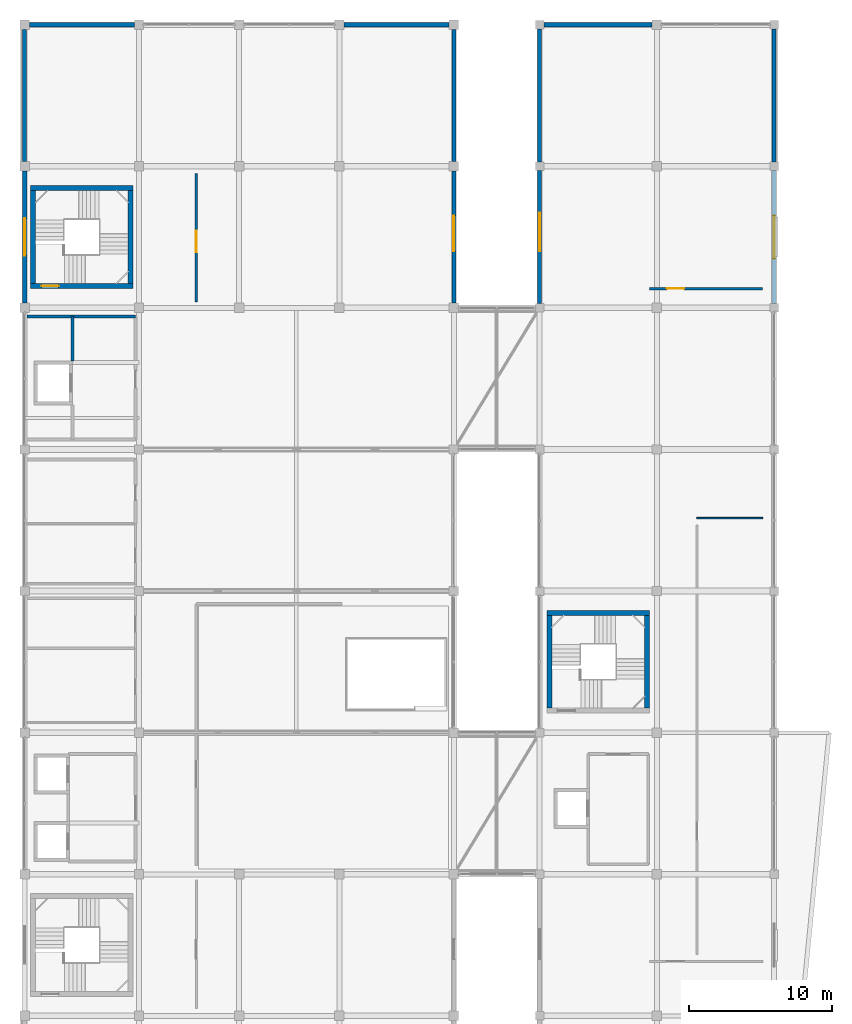
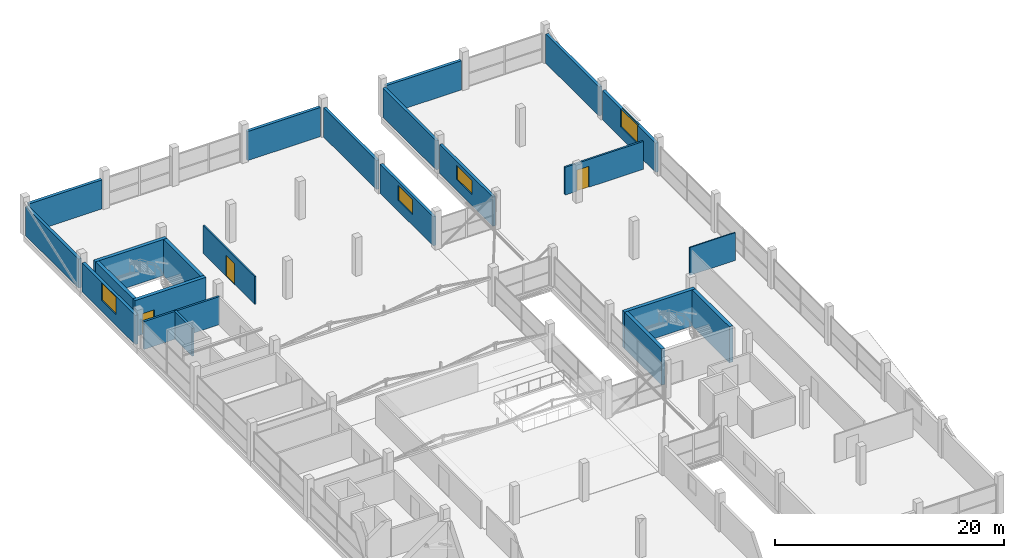
# One storey, part 58 of 66: 23 walls, 4 windows, 3 doors, 7 openings.
"""IFC4 building model written with IfcOpenShell, lengths in metres."""

from ifc_helpers import new_model, si_unit, direction, frame, frame_2d, origin, place, context, subcontext, project, spatial, rectangle, extrude, material, layer, layer_set, type_object, element, fill, save


model = new_model("IFC4")

# Units and contexts
model_context = context("Model", 3, precision=1e-05, world=origin(), true_north=direction((0.0, 1.0)))
body_context = subcontext(model_context, "Body", "Model", "MODEL_VIEW")
ifc_project = project(units=[si_unit("LENGTHUNIT", "METRE"), si_unit("AREAUNIT", "SQUARE_METRE"), si_unit("VOLUMEUNIT", "CUBIC_METRE"), si_unit("PLANEANGLEUNIT", "RADIAN"), si_unit("MASSUNIT", "GRAM", prefix="KILO")], contexts=[model_context])

# Site, building, storey
site_placement = place(None, origin())
site = spatial("IfcSite", under=ifc_project, at=site_placement, CompositionType="ELEMENT")
building_placement = place(site_placement, origin())
building = spatial("IfcBuilding", under=site, at=building_placement, Name="Sillaruma Civic Art Gallery", CompositionType="ELEMENT")
storey_placement = place(building_placement, frame((0.0, 0.0, 62.219970703125)))
storey = spatial("IfcBuildingStorey", under=building, at=storey_placement, Name="L12", CompositionType="ELEMENT", Elevation=62.219970703125)

# Wall, opening, door
ifc_material_1 = material(Name="Concrete H40 (40 MPa)", Category="concrete")
ifc_layer_1 = layer(ifc_material_1, 0.35009765625, Name="Concrete H40 (40 MPa)")
ifc_layer_set_1 = layer_set([ifc_layer_1], Name="Concrete H40 (40 MPa)")
wall_type_1 = type_object("IfcWallType", Name="WAL-CORE-350", PredefinedType="SHEAR", material=ifc_layer_set_1)
wall_1_placement = place(storey_placement, frame((62.409912109375, 80.735107421875, 0.0), z_axis=(0.0, 0.0, 1.0), x_axis=(1.0, 0.0, 0.0)))
wall_1 = element("IfcWall", 1, at=wall_1_placement, inside=storey, type_object=wall_type_1, Name="Stair Core Shear Wall W-CORE-350 (ST-02:L12:S)", PredefinedType="SHEAR", context=body_context, shape_type="SweptSolid", body=[
    extrude(rectangle(XDim=7.18017578125, YDim=0.35009765625, at=frame_2d((3.590087890625, 0.0))), origin(), (0.0, 0.0, 1.0), 3.85009765625),
])
opening_1_placement = place(wall_1_placement, frame((0.77001953125, 0.0, 0.0)))
opening_1 = element("IfcOpeningElement", 2, at=opening_1_placement, cuts=wall_1, Name="Opening D-STAIR", PredefinedType="OPENING", context=body_context, shape_type="SweptSolid", body=[
    extrude(rectangle(XDim=1.199951171875, YDim=2.199951171875, at=frame_2d((0.60009765625, 1.10009765625))), frame((0.0, 0.18505859375, 0.0), z_axis=(0.0, -1.0, 0.0), x_axis=(1.0, 0.0, 0.0)), (0.0, 0.0, 1.0), 0.3701171875),
])
ifc_material_2 = material(Name="Galvanised Steel ASTM A653 Gr.50", Category="steel")
door_type_1 = type_object("IfcDoorType", Name="DOR-STAIR-120", OperationType="NOTDEFINED", PredefinedType="DOOR", material=ifc_material_2)
door_1_placement = place(opening_1_placement, origin())
door_1 = element("IfcDoor", 3, at=door_1_placement, inside=storey, type_object=door_type_1, Name="Protected Stair Fire Door (ST-02:L12)", OperationType="SINGLE_SWING_RIGHT", OverallHeight=2.199951171875, OverallWidth=1.199951171875, PredefinedType="DOOR", context=body_context, shape_type="SweptSolid", body=[
    extrude(rectangle(XDim=1.199951171875, YDim=2.199951171875, at=frame_2d((0.60009765625, 1.10009765625))), frame((0.0, 0.02490234375, 0.0), z_axis=(0.0, -1.0, 0.0), x_axis=(1.0, 0.0, 0.0)), (0.0, 0.0, 1.0), 0.050048828125),
])
fill(opening_1, door_1)

# Walls
wall_2_placement = place(storey_placement, frame((62.409912109375, 87.56494140625, 0.0), z_axis=(0.0, 0.0, 1.0), x_axis=(1.0, 0.0, 0.0)))
element("IfcWall", 4, at=wall_2_placement, inside=storey, type_object=wall_type_1, Name="Stair Core Shear Wall W-CORE-350 (ST-02:L12:N)", PredefinedType="SHEAR", context=body_context, shape_type="SweptSolid", body=[
    extrude(rectangle(XDim=7.18017578125, YDim=0.35009765625, at=frame_2d((3.590087890625, 0.0))), origin(), (0.0, 0.0, 1.0), 3.85009765625),
])
for number, where, z_axis, x_axis, name in (
    (5, (62.5849609375, 80.909912109375, 0.0), (0.0, 0.0, 1.0), (0.0, 1.0, 0.0), "Stair Core Shear Wall W-CORE-350 (ST-02:L12:W)"),
    (6, (69.4150390625, 80.909912109375, 0.0), (0.0, 0.0, 1.0), (0.0, 1.0, 0.0), "Stair Core Shear Wall W-CORE-350 (ST-02:L12:E)"),
):
    element("IfcWall", number, at=place(storey_placement, frame(where, z_axis=z_axis, x_axis=x_axis)), inside=storey, type_object=wall_type_1, Name=name, PredefinedType="SHEAR", context=body_context, shape_type="SweptSolid", body=[
        extrude(rectangle(XDim=6.47998046875, YDim=0.35009765625, at=frame_2d((3.239990234375, 0.0))), origin(), (0.0, 0.0, 1.0), 3.85009765625),
    ])
wall_3_placement = place(storey_placement, frame((98.510009765625, 57.864990234375, 0.0), z_axis=(0.0, 0.0, 1.0), x_axis=(1.0, 0.0, 0.0)))
element("IfcWall", 7, at=wall_3_placement, inside=storey, type_object=wall_type_1, Name="Stair Core Shear Wall W-CORE-350 (ST-04:L12:N)", PredefinedType="SHEAR", context=body_context, shape_type="SweptSolid", body=[
    extrude(rectangle(XDim=7.179931640625, YDim=0.35009765625, at=frame_2d((3.58984375, 0.0))), origin(), (0.0, 0.0, 1.0), 3.85009765625),
])
for number, where, z_axis, x_axis, name in (
    (8, (98.68505859375, 51.2099609375, 0.0), (0.0, 0.0, 1.0), (0.0, 1.0, 0.0), "Stair Core Shear Wall W-CORE-350 (ST-04:L12:W)"),
    (9, (105.514892578125, 51.2099609375, 0.0), (0.0, 0.0, 1.0), (0.0, 1.0, 0.0), "Stair Core Shear Wall W-CORE-350 (ST-04:L12:E)"),
):
    element("IfcWall", number, at=place(storey_placement, frame(where, z_axis=z_axis, x_axis=x_axis)), inside=storey, type_object=wall_type_1, Name=name, PredefinedType="SHEAR", context=body_context, shape_type="SweptSolid", body=[
        extrude(rectangle(XDim=6.47998046875, YDim=0.35009765625, at=frame_2d((3.239990234375, 0.0))), origin(), (0.0, 0.0, 1.0), 3.85009765625),
    ])

# Wall, opening, window
ifc_material_3 = material(Name="Concrete H35 (35 MPa)", Category="concrete")
ifc_layer_2 = layer(ifc_material_3, 0.159912109375, Name="Concrete backup", Category="concrete")
ifc_material_4 = material(Name="Mineral Wool Thermal Insulation", Category="insulation")
ifc_layer_3 = layer(ifc_material_4, 0.090087890625, Name="Thermal insulation", Category="insulation")
ifc_material_5 = material(Name="Anodised Zinc-Aluminium Alloy", Category="aluminium")
ifc_layer_4 = layer(ifc_material_5, 0.030029296875, Name="Rainscreen finish", Category="aluminium")
ifc_layer_set_2 = layer_set([ifc_layer_2, ifc_layer_3, ifc_layer_4], Name="W-EXT-280")
wall_type_2 = type_object("IfcWallType", Name="WAL-EXT-280", PredefinedType="SOLIDWALL", material=ifc_layer_set_2)
wall_4_placement = place(storey_placement, frame((92.0, 79.52490234375, 0.0), z_axis=(0.0, 0.0, 1.0), x_axis=(0.0, 1.0, 0.0)))
wall_4 = element("IfcWall", 10, at=wall_4_placement, inside=storey, type_object=wall_type_2, Name="Exterior Wall W-EXT-280 (EW-L12-WBE-7)", PredefinedType="SOLIDWALL", context=body_context, shape_type="SweptSolid", body=[
    extrude(rectangle(XDim=9.25, YDim=0.280029296875, at=frame_2d((4.625, 0.0))), origin(), (0.0, 0.0, 1.0), 3.10009765625),
])
opening_2_placement = place(wall_4_placement, frame((3.625, 0.0, 1.14990234375)))
opening_2 = element("IfcOpeningElement", 11, at=opening_2_placement, cuts=wall_4, Name="Opening WN-11", PredefinedType="OPENING", context=body_context, shape_type="SweptSolid", body=[
    extrude(rectangle(XDim=2.5, YDim=1.60009765625, at=frame_2d((1.25, 0.800048828125))), frame((0.0, 0.14990234375, 0.0), z_axis=(0.0, -1.0, 0.0), x_axis=(1.0, 0.0, 0.0)), (0.0, 0.0, 1.0), 0.300048828125),
])
ifc_material_6 = material(Name="Thermally Broken Extruded Aluminium 6063-T6", Category="aluminium")
window_type_1 = type_object("IfcWindowType", Name="WIN-W11", PartitioningType="SINGLE_PANEL", PredefinedType="WINDOW", material=ifc_material_6)
window_1_placement = place(opening_2_placement, origin())
window_1 = element("IfcWindow", 12, at=window_1_placement, inside=storey, type_object=window_type_1, Name="Window WN-11 (EW-L12-WBE-7-1)", OverallHeight=1.60009765625, OverallWidth=2.5, PartitioningType="SINGLE_PANEL", PredefinedType="WINDOW", context=body_context, shape_type="SweptSolid", body=[
    extrude(rectangle(XDim=2.5, YDim=1.60009765625, at=frame_2d((1.25, 0.800048828125))), frame((0.0, 0.030029296875, 0.0), z_axis=(0.0, -1.0, 0.0), x_axis=(1.0, 0.0, 0.0)), (0.0, 0.0, 1.0), 0.06005859375),
])
fill(opening_2, window_1)

# Wall
wall_5_placement = place(storey_placement, frame((92.0, 89.425048828125, 0.0), z_axis=(0.0, 0.0, 1.0), x_axis=(0.0, 1.0, 0.0)))
element("IfcWall", 13, at=wall_5_placement, inside=storey, type_object=wall_type_2, Name="Exterior Wall W-EXT-280 (EW-L12-WBE-8)", PredefinedType="SOLIDWALL", context=body_context, shape_type="SweptSolid", body=[
    extrude(rectangle(XDim=9.25, YDim=0.280029296875, at=frame_2d((4.625, 0.0))), origin(), (0.0, 0.0, 1.0), 3.10009765625),
])

# Wall, opening, window
wall_6_placement = place(storey_placement, frame((98.0, 79.5, 0.0), z_axis=(0.0, 0.0, 1.0), x_axis=(0.0, 1.0, 0.0)))
wall_6 = element("IfcWall", 14, at=wall_6_placement, inside=storey, type_object=wall_type_2, Name="Exterior Wall W-EXT-280 (EW-L12-EBW-7)", PredefinedType="SOLIDWALL", context=body_context, shape_type="SweptSolid", body=[
    extrude(rectangle(XDim=9.300048828125, YDim=0.280029296875, at=frame_2d((4.64990234375, 0.0))), origin(), (0.0, 0.0, 1.0), 3.10009765625),
])
opening_3_placement = place(wall_6_placement, frame((3.64990234375, 0.0, 1.14990234375)))
opening_3 = element("IfcOpeningElement", 15, at=opening_3_placement, cuts=wall_6, Name="Opening WN-18", PredefinedType="OPENING", context=body_context, shape_type="SweptSolid", body=[
    extrude(rectangle(XDim=2.699951171875, YDim=1.5, at=frame_2d((1.35009765625, 0.75))), frame((0.0, 0.14990234375, 0.0), z_axis=(0.0, -1.0, 0.0), x_axis=(1.0, 0.0, 0.0)), (0.0, 0.0, 1.0), 0.300048828125),
])
window_type_2 = type_object("IfcWindowType", Name="WIN-W18", PartitioningType="SINGLE_PANEL", PredefinedType="WINDOW", material=ifc_material_6)
window_2_placement = place(opening_3_placement, origin())
window_2 = element("IfcWindow", 16, at=window_2_placement, inside=storey, type_object=window_type_2, Name="Window WN-18 (EW-L12-EBW-7-1)", OverallHeight=1.5, OverallWidth=2.699951171875, PartitioningType="SINGLE_PANEL", PredefinedType="WINDOW", context=body_context, shape_type="SweptSolid", body=[
    extrude(rectangle(XDim=2.699951171875, YDim=1.5, at=frame_2d((1.35009765625, 0.75))), frame((0.0, 0.030029296875, 0.0), z_axis=(0.0, -1.0, 0.0), x_axis=(1.0, 0.0, 0.0)), (0.0, 0.0, 1.0), 0.06005859375),
])
fill(opening_3, window_2)

# Walls
wall_7_placement = place(storey_placement, frame((98.0, 89.39990234375, 0.0), z_axis=(0.0, 0.0, 1.0), x_axis=(0.0, 1.0, 0.0)))
element("IfcWall", 17, at=wall_7_placement, inside=storey, type_object=wall_type_2, Name="Exterior Wall W-EXT-280 (EW-L12-EBW-8)", PredefinedType="SOLIDWALL", context=body_context, shape_type="SweptSolid", body=[
    extrude(rectangle(XDim=9.300048828125, YDim=0.280029296875, at=frame_2d((4.64990234375, 0.0))), origin(), (0.0, 0.0, 1.0), 3.10009765625),
])
ifc_layer_5 = layer(ifc_material_3, 0.169921875, Name="Concrete backup", Category="concrete")
ifc_layer_6 = layer(ifc_material_4, 0.090087890625, Name="Thermal insulation", Category="insulation")
ifc_layer_7 = layer(ifc_material_5, 0.030029296875, Name="Rainscreen finish", Category="aluminium")
ifc_layer_set_3 = layer_set([ifc_layer_5, ifc_layer_6, ifc_layer_7], Name="W-EXT-290")
wall_type_3 = type_object("IfcWallType", Name="WAL-EXT-290", PredefinedType="SOLIDWALL", material=ifc_layer_set_3)
wall_8_placement = place(storey_placement, frame((62.0, 89.425048828125, 0.0), z_axis=(0.0, 0.0, 1.0), x_axis=(0.0, 1.0, 0.0)))
element("IfcWall", 18, at=wall_8_placement, inside=storey, type_object=wall_type_3, Name="Exterior Wall W-EXT-290 (EW-L12-WBW-8)", PredefinedType="SOLIDWALL", context=body_context, shape_type="SweptSolid", body=[
    extrude(rectangle(XDim=9.25, YDim=0.2900390625, at=frame_2d((4.625, 0.0))), origin(), (0.0, 0.0, 1.0), 3.10009765625),
])
wall_9_placement = place(storey_placement, frame((114.39990234375, 89.39990234375, 0.0), z_axis=(0.0, 0.0, 1.0), x_axis=(0.0, 1.0, 0.0)))
element("IfcWall", 19, at=wall_9_placement, inside=storey, type_object=wall_type_3, Name="Exterior Wall W-EXT-290 (EW-L12-EBE-8)", PredefinedType="SOLIDWALL", context=body_context, shape_type="SweptSolid", body=[
    extrude(rectangle(XDim=9.300048828125, YDim=0.2900390625, at=frame_2d((4.64990234375, 0.0))), origin(), (0.0, 0.0, 1.0), 3.10009765625),
])

# Wall, opening, window
ifc_material_7 = material(Name="Precast Concrete H35 (35 MPa)", Category="concrete")
ifc_layer_8 = layer(ifc_material_7, 0.179931640625, Name="Precast backup", Category="concrete")
ifc_layer_9 = layer(ifc_material_4, 0.090087890625, Name="Thermal insulation", Category="insulation")
ifc_material_8 = material(Name="Comanche Granitic Ashlar Stone", Category="masonry")
ifc_layer_10 = layer(ifc_material_8, 0.030029296875, Name="Rainscreen cladding", Category="masonry")
ifc_layer_set_4 = layer_set([ifc_layer_8, ifc_layer_9, ifc_layer_10], Name="W-EXT-300")
wall_type_4 = type_object("IfcWallType", Name="WAL-EXT-300", PredefinedType="SOLIDWALL", material=ifc_layer_set_4)
wall_10_placement = place(storey_placement, frame((62.0, 79.52490234375, 0.0), z_axis=(0.0, 0.0, 1.0), x_axis=(0.0, 1.0, 0.0)))
wall_10 = element("IfcWall", 20, at=wall_10_placement, inside=storey, type_object=wall_type_4, Name="Exterior Wall W-EXT-300 (EW-L12-WBW-7)", PredefinedType="SOLIDWALL", context=body_context, shape_type="SweptSolid", body=[
    extrude(rectangle(XDim=9.25, YDim=0.300048828125, at=frame_2d((4.625, 0.0))), origin(), (0.0, 0.0, 1.0), 3.10009765625),
])
opening_4_placement = place(wall_10_placement, frame((3.324951171875, 0.0, 1.14990234375)))
opening_4 = element("IfcOpeningElement", 21, at=opening_4_placement, cuts=wall_10, Name="Opening WN-08", PredefinedType="OPENING", context=body_context, shape_type="SweptSolid", body=[
    extrude(rectangle(XDim=2.60009765625, YDim=1.85009765625, at=frame_2d((1.300048828125, 0.925048828125))), frame((0.0, 0.159912109375, 0.0), z_axis=(0.0, -1.0, 0.0), x_axis=(1.0, 0.0, 0.0)), (0.0, 0.0, 1.0), 0.320068359375),
])
window_type_3 = type_object("IfcWindowType", Name="WIN-W08", PartitioningType="SINGLE_PANEL", PredefinedType="WINDOW", material=ifc_material_6)
window_3_placement = place(opening_4_placement, origin())
window_3 = element("IfcWindow", 22, at=window_3_placement, inside=storey, type_object=window_type_3, Name="Window WN-08 (EW-L12-WBW-7-1)", OverallHeight=1.85009765625, OverallWidth=2.60009765625, PartitioningType="SINGLE_PANEL", PredefinedType="WINDOW", context=body_context, shape_type="SweptSolid", body=[
    extrude(rectangle(XDim=2.60009765625, YDim=1.85009765625, at=frame_2d((1.300048828125, 0.925048828125))), frame((0.0, 0.030029296875, 0.0), z_axis=(0.0, -1.0, 0.0), x_axis=(1.0, 0.0, 0.0)), (0.0, 0.0, 1.0), 0.06005859375),
])
fill(opening_4, window_3)

# Walls
for number, where, z_axis, x_axis, name in (
    (23, (62.324951171875, 99.0, 0.0), (0.0, 0.0, 1.0), (1.0, 0.0, 0.0), "Exterior Wall W-EXT-300 (EW-L12-WBN-1)"),
    (24, (84.324951171875, 99.0, 0.0), (0.0, 0.0, 1.0), (1.0, 0.0, 0.0), "Exterior Wall W-EXT-300 (EW-L12-WBN-4)"),
):
    element("IfcWall", number, at=place(storey_placement, frame(where, z_axis=z_axis, x_axis=x_axis)), inside=storey, type_object=wall_type_4, Name=name, PredefinedType="SOLIDWALL", context=body_context, shape_type="SweptSolid", body=[
        extrude(rectangle(XDim=7.35009765625, YDim=0.300048828125, at=frame_2d((3.675048828125, 0.0))), origin(), (0.0, 0.0, 1.0), 3.10009765625),
    ])

# Wall, opening, window
wall_11_placement = place(storey_placement, frame((114.39990234375, 79.5, 0.0), z_axis=(0.0, 0.0, 1.0), x_axis=(0.0, 1.0, 0.0)))
wall_11 = element("IfcWall", 25, at=wall_11_placement, inside=storey, type_object=wall_type_4, Name="Exterior Wall W-EXT-300 (EW-L12-EBE-7)", PredefinedType="SOLIDWALL", context=body_context, shape_type="SweptSolid", body=[
    extrude(rectangle(XDim=9.300048828125, YDim=0.300048828125, at=frame_2d((4.64990234375, 0.0))), origin(), (0.0, 0.0, 1.0), 3.10009765625),
])
opening_5_placement = place(wall_11_placement, frame((3.14990234375, 0.0, 1.14990234375)))
opening_5 = element("IfcOpeningElement", 26, at=opening_5_placement, cuts=wall_11, Name="Opening WN-10", PredefinedType="OPENING", context=body_context, shape_type="SweptSolid", body=[
    extrude(rectangle(XDim=3.0, YDim=1.949951171875, at=frame_2d((1.5, 0.97509765625))), frame((0.0, 0.159912109375, 0.0), z_axis=(0.0, -1.0, 0.0), x_axis=(1.0, 0.0, 0.0)), (0.0, 0.0, 1.0), 0.320068359375),
])
window_type_4 = type_object("IfcWindowType", Name="WIN-W10", PartitioningType="SINGLE_PANEL", PredefinedType="WINDOW", material=ifc_material_6)
window_4_placement = place(opening_5_placement, origin())
window_4 = element("IfcWindow", 27, at=window_4_placement, inside=storey, type_object=window_type_4, Name="Window WN-10 (EW-L12-EBE-7-1)", OverallHeight=1.949951171875, OverallWidth=3.0, PartitioningType="SINGLE_PANEL", PredefinedType="WINDOW", context=body_context, shape_type="SweptSolid", body=[
    extrude(rectangle(XDim=3.0, YDim=1.949951171875, at=frame_2d((1.5, 0.97509765625))), frame((0.0, 0.030029296875, 0.0), z_axis=(0.0, -1.0, 0.0), x_axis=(1.0, 0.0, 0.0)), (0.0, 0.0, 1.0), 0.06005859375),
])
fill(opening_5, window_4)

# Walls
wall_12_placement = place(storey_placement, frame((98.300048828125, 99.0, 0.0), z_axis=(0.0, 0.0, 1.0), x_axis=(1.0, 0.0, 0.0)))
element("IfcWall", 28, at=wall_12_placement, inside=storey, type_object=wall_type_4, Name="Exterior Wall W-EXT-300 (EW-L12-EBN-1)", PredefinedType="SOLIDWALL", context=body_context, shape_type="SweptSolid", body=[
    extrude(rectangle(XDim=7.574951171875, YDim=0.300048828125, at=frame_2d((3.78759765625, 0.0))), origin(), (0.0, 0.0, 1.0), 3.10009765625),
])
ifc_material_9 = material(Name="Concrete Masonry Unit Grade M15", Category="masonry")
ifc_layer_11 = layer(ifc_material_9, 0.199951171875, Name="Concrete Masonry Unit Grade M15")
ifc_layer_set_5 = layer_set([ifc_layer_11], Name="Concrete Masonry Unit Grade M15")
wall_type_5 = type_object("IfcWallType", Name="WAL-LOBBY-200", PredefinedType="SOLIDWALL", material=ifc_layer_set_5)
wall_13_placement = place(storey_placement, frame((62.14990234375, 78.60009765625, 0.0), z_axis=(0.0, 0.0, 1.0), x_axis=(1.0, 0.0, 0.0)))
element("IfcWall", 29, at=wall_13_placement, inside=storey, type_object=wall_type_5, Name="Interior Wall W-LOBBY-200 (L12-FFL)", PredefinedType="SOLIDWALL", context=body_context, shape_type="SweptSolid", body=[
    extrude(rectangle(XDim=7.60009765625, YDim=0.199951171875, at=frame_2d((3.800048828125, 0.0))), origin(), (0.0, 0.0, 1.0), 2.969970703125),
])
wall_14_placement = place(storey_placement, frame((65.35009765625, 75.5, 0.0), z_axis=(0.0, 0.0, 1.0), x_axis=(0.0, 1.0, 0.0)))
element("IfcWall", 30, at=wall_14_placement, inside=storey, type_object=wall_type_5, Name="Interior Wall W-LOBBY-200 (L12-FFL)", PredefinedType="SOLIDWALL", context=body_context, shape_type="SweptSolid", body=[
    extrude(rectangle(XDim=3.10009765625, YDim=0.199951171875, at=frame_2d((1.550048828125, 0.0))), origin(), (0.0, 0.0, 1.0), 2.969970703125),
])
ifc_material_10 = material(Name="Gypsum Acoustic Board", Category="gypsum")
ifc_layer_12 = layer(ifc_material_10, 0.02490234375, Name="Finish board", Category="gypsum")
ifc_layer_13 = layer(ifc_material_4, 0.06005859375, Name="Acoustic core", Category="insulation")
ifc_material_11 = material(Name="Andean Oak Timber", Category="wood")
ifc_layer_14 = layer(ifc_material_11, 0.02490234375, Name="Gallery lining", Category="wood")
ifc_layer_set_6 = layer_set([ifc_layer_12, ifc_layer_13, ifc_layer_14], Name="W-PT-110")
wall_type_6 = type_object("IfcWallType", Name="WAL-PART-110", PredefinedType="PARTITIONING", material=ifc_layer_set_6)
wall_15_placement = place(storey_placement, frame((109.0, 64.5, 0.0), z_axis=(0.0, 0.0, 1.0), x_axis=(1.0, 0.0, 0.0)))
element("IfcWall", 31, at=wall_15_placement, inside=storey, type_object=wall_type_6, Name="Interior Wall W-PT-110 (L12-STDE2)", PredefinedType="PARTITIONING", context=body_context, shape_type="SweptSolid", body=[
    extrude(rectangle(XDim=4.60009765625, YDim=0.110107421875, at=frame_2d((2.300048828125, 0.0))), origin(), (0.0, 0.0, 1.0), 2.969970703125),
])

# Wall, opening, door
ifc_layer_15 = layer(ifc_material_10, 0.02490234375, Name="Finish board", Category="gypsum")
ifc_layer_16 = layer(ifc_material_4, 0.10009765625, Name="Acoustic core", Category="insulation")
ifc_layer_17 = layer(ifc_material_11, 0.02490234375, Name="Gallery lining", Category="wood")
ifc_layer_set_7 = layer_set([ifc_layer_15, ifc_layer_16, ifc_layer_17], Name="W-PT-150")
wall_type_7 = type_object("IfcWallType", Name="WAL-PART-150", PredefinedType="PARTITIONING", material=ifc_layer_set_7)
wall_16_placement = place(storey_placement, frame((74.0, 79.60009765625, 0.0), z_axis=(0.0, 0.0, 1.0), x_axis=(0.0, 1.0, 0.0)))
wall_16 = element("IfcWall", 32, at=wall_16_placement, inside=storey, type_object=wall_type_7, Name="Interior Wall W-PT-150 (L12-CNS12A)", PredefinedType="PARTITIONING", context=body_context, shape_type="SweptSolid", body=[
    extrude(rectangle(XDim=9.0, YDim=0.14990234375, at=frame_2d((4.5, 0.0))), origin(), (0.0, 0.0, 1.0), 2.969970703125),
])
opening_6_placement = place(wall_16_placement, frame((3.5, 0.0, 0.0)))
opening_6 = element("IfcOpeningElement", 33, at=opening_6_placement, cuts=wall_16, Name="Opening D-INT15", PredefinedType="OPENING", context=body_context, shape_type="SweptSolid", body=[
    extrude(rectangle(XDim=1.5, YDim=2.199951171875, at=frame_2d((0.75, 1.10009765625))), frame((0.0, 0.0849609375, 0.0), z_axis=(0.0, -1.0, 0.0), x_axis=(1.0, 0.0, 0.0)), (0.0, 0.0, 1.0), 0.169921875),
])
door_type_2 = type_object("IfcDoorType", Name="DOR-INT-150", OperationType="NOTDEFINED", PredefinedType="DOOR", material=ifc_material_11)
door_2_placement = place(opening_6_placement, origin())
door_2 = element("IfcDoor", 34, at=door_2_placement, inside=storey, type_object=door_type_2, Name="Upper Paper and Print Conservation Studio Door (D-INT15)", OperationType="SINGLE_SWING_LEFT", OverallHeight=2.199951171875, OverallWidth=1.5, PredefinedType="DOOR", context=body_context, shape_type="SweptSolid", body=[
    extrude(rectangle(XDim=1.5, YDim=2.199951171875, at=frame_2d((0.75, 1.10009765625))), frame((0.0, 0.02490234375, 0.0), z_axis=(0.0, -1.0, 0.0), x_axis=(1.0, 0.0, 0.0)), (0.0, 0.0, 1.0), 0.050048828125),
])
fill(opening_6, door_2)

ifc_layer_18 = layer(ifc_material_10, 0.02490234375, Name="Finish board", Category="gypsum")
ifc_layer_19 = layer(ifc_material_4, 0.1298828125, Name="Acoustic core", Category="insulation")
ifc_layer_20 = layer(ifc_material_11, 0.02490234375, Name="Gallery lining", Category="wood")
ifc_layer_set_8 = layer_set([ifc_layer_18, ifc_layer_19, ifc_layer_20], Name="W-PT-180")
wall_type_8 = type_object("IfcWallType", Name="WAL-PART-180", PredefinedType="PARTITIONING", material=ifc_layer_set_8)
wall_17_placement = place(storey_placement, frame((105.699951171875, 80.550048828125, 0.0), z_axis=(0.0, 0.0, 1.0), x_axis=(1.0, 0.0, 0.0)))
wall_17 = element("IfcWall", 35, at=wall_17_placement, inside=storey, type_object=wall_type_8, Name="Interior Wall W-PT-180 (L12-STDE3)", PredefinedType="PARTITIONING", context=body_context, shape_type="SweptSolid", body=[
    extrude(rectangle(XDim=7.900146484375, YDim=0.179931640625, at=frame_2d((3.9501953125, 0.0))), origin(), (0.0, 0.0, 1.0), 2.969970703125),
])
opening_7_placement = place(wall_17_placement, frame((1.199951171875, 0.0, 0.0)))
opening_7 = element("IfcOpeningElement", 36, at=opening_7_placement, cuts=wall_17, Name="Opening D-STD12", PredefinedType="OPENING", context=body_context, shape_type="SweptSolid", body=[
    extrude(rectangle(XDim=1.199951171875, YDim=2.25, at=frame_2d((0.60009765625, 1.125))), frame((0.0, 0.099853515625, 0.0), z_axis=(0.0, -1.0, 0.0), x_axis=(1.0, 0.0, 0.0)), (0.0, 0.0, 1.0), 0.199951171875),
])
door_type_3 = type_object("IfcDoorType", Name="DOR-STD-120", OperationType="NOTDEFINED", PredefinedType="DOOR", material=ifc_material_11)
door_3_placement = place(opening_7_placement, origin())
door_3 = element("IfcDoor", 37, at=door_3_placement, inside=storey, type_object=door_type_3, Name="East Wing North Artist Studio (L12) Door (D-STD12)", OperationType="SINGLE_SWING_LEFT", OverallHeight=2.25, OverallWidth=1.199951171875, PredefinedType="DOOR", context=body_context, shape_type="SweptSolid", body=[
    extrude(rectangle(XDim=1.199951171875, YDim=2.25, at=frame_2d((0.60009765625, 1.125))), frame((0.0, 0.02490234375, 0.0), z_axis=(0.0, -1.0, 0.0), x_axis=(1.0, 0.0, 0.0)), (0.0, 0.0, 1.0), 0.050048828125),
])
fill(opening_7, door_3)

save(model, "model.ifc")
